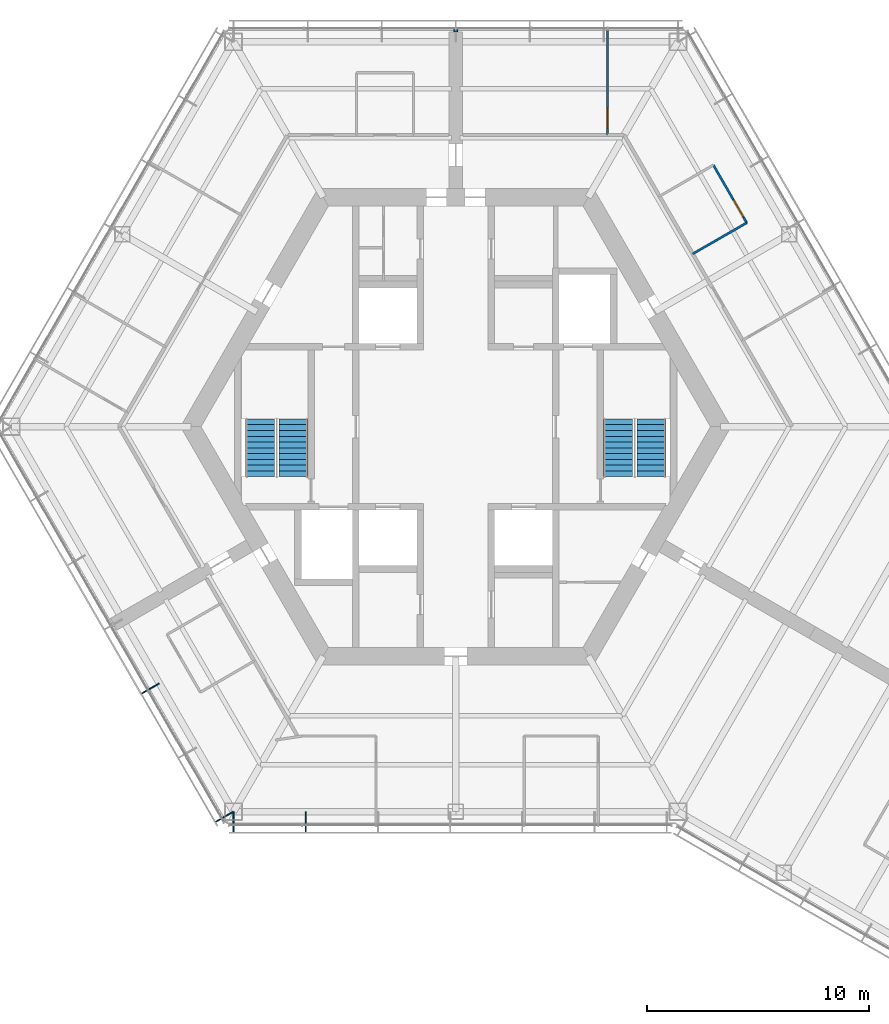
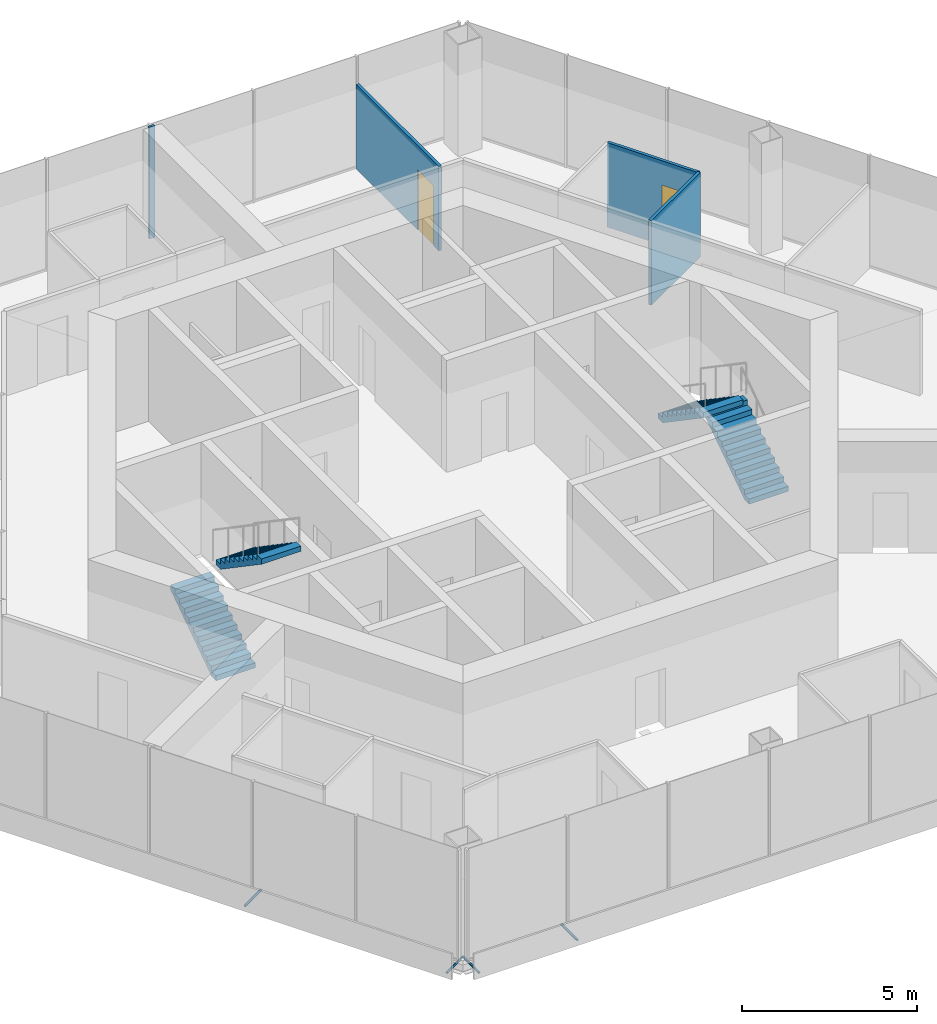
# One storey, part 13 of 16: 4 discrete accessories, 4 stair flights, 4 walls, 2 doors, 2 openings, 2 elements without a shape of their own.
"""IFC4 building model written with IfcOpenShell, lengths in metres."""

from ifc_helpers import new_model, si_unit, direction, frame, frame_2d, origin, origin_2d, place, context, subcontext, project, spatial, polyline, rectangle, hollow_circle, outline, extrude, material, layer, layer_set, material_profile, profile_set, type_object, element, fill, aggregate, save


model = new_model("IFC4")

# Units and contexts
model_context = context("Model", 3, precision=1e-05, world=origin(), true_north=direction((0.0, 1.0)))
body_context = subcontext(model_context, "Body", "Model", "MODEL_VIEW")
ifc_project = project(units=[si_unit("LENGTHUNIT", "METRE"), si_unit("AREAUNIT", "SQUARE_METRE"), si_unit("VOLUMEUNIT", "CUBIC_METRE"), si_unit("PLANEANGLEUNIT", "RADIAN"), si_unit("MASSUNIT", "GRAM", prefix="KILO")], contexts=[model_context])

# Site, building, storey
site_placement = place(None, origin())
site = spatial("IfcSite", under=ifc_project, at=site_placement, CompositionType="ELEMENT")
building_placement = place(site_placement, origin())
building = spatial("IfcBuilding", under=site, at=building_placement, Name="Kasaneha Research Tower", CompositionType="ELEMENT")
storey_placement = place(building_placement, frame((0.0, 0.0, 259.60009765625)))
storey = spatial("IfcBuildingStorey", under=building, at=storey_placement, Name="L65", CompositionType="ELEMENT", Elevation=259.60009765625)

# Wall, opening, door
ifc_material_1 = material(Name="Gypsum board on steel studs, one layer each side", Category="steel")
ifc_layer_1 = layer(ifc_material_1, 0.10009765625)
ifc_layer_set_1 = layer_set([ifc_layer_1], Name="Office partition 100")
wall_type_1 = type_object("IfcWallType", Name="Office partition 100", PredefinedType="PARTITIONING", material=ifc_layer_set_1)
wall_1_placement = place(storey_placement, frame((11.591552734375, 11.77294921875, 0.0), z_axis=(0.0, 0.0, 1.0), x_axis=(0.499990139034, -0.866031096941, 0.0)))
wall_1 = element("IfcWall", 1, at=wall_1_placement, inside=storey, type_object=wall_type_1, Name="Office partition FAE08 L65", PredefinedType="PARTITIONING", context=body_context, shape_type="SweptSolid", body=[
    extrude(rectangle(XDim=3.0, YDim=0.10009765625, at=frame_2d((1.5, 0.0))), origin(), (0.0, 0.0, 1.0), 2.949951171875),
])
opening_1_placement = place(wall_1_placement, frame((1.800048828125, 0.0, 0.0)))
opening_1 = element("IfcOpeningElement", 2, at=opening_1_placement, cuts=wall_1, Name="Opening L65-D25", PredefinedType="OPENING", context=body_context, shape_type="SweptSolid", body=[
    extrude(rectangle(XDim=0.89990234375, YDim=2.10009765625, at=frame_2d((0.449951171875, 1.050048828125))), frame((0.0, 0.06005859375, 0.0), z_axis=(0.0, -1.0, 0.0), x_axis=(1.0, 0.0, 0.0)), (0.0, 0.0, 1.0), 0.1201171875),
])
ifc_material_2 = material(Name="Timber veneer", Category="wood")
door_type = type_object("IfcDoorType", Name="Office door 900x2100", OperationType="SINGLE_SWING_LEFT", PredefinedType="DOOR", material=ifc_material_2)
door_1_placement = place(opening_1_placement, origin())
door_1 = element("IfcDoor", 3, at=door_1_placement, inside=storey, type_object=door_type, Name="Pantry door L65-D25", OperationType="SINGLE_SWING_RIGHT", OverallHeight=2.10009765625, OverallWidth=0.89990234375, PredefinedType="DOOR", context=body_context, shape_type="SweptSolid", body=[
    extrude(rectangle(XDim=0.89990234375, YDim=2.10009765625, at=frame_2d((0.449951171875, 1.050048828125))), frame((0.0, 0.02490234375, 0.0), z_axis=(0.0, -1.0, 0.0), x_axis=(1.0, 0.0, 0.0)), (0.0, 0.0, 1.0), 0.050048828125),
])
fill(opening_1, door_1)

# Wall
wall_2_placement = place(storey_placement, frame((13.091552734375, 9.1748046875, 0.0), z_axis=(0.0, 0.0, 1.0), x_axis=(-0.866855433567, -0.498559582492, 0.0)))
element("IfcWall", 4, at=wall_2_placement, inside=storey, type_object=wall_type_1, Name="Office partition FAE09 L65", PredefinedType="PARTITIONING", context=body_context, shape_type="SweptSolid", body=[
    extrude(rectangle(XDim=2.800048828125, YDim=0.10009765625, at=frame_2d((1.39990234375, 0.0))), origin(), (0.0, 0.0, 1.0), 2.949951171875),
])

# Wall, opening, door
wall_3_placement = place(storey_placement, frame((6.8310546875, 17.85546875, 0.0), z_axis=(0.0, 0.0, 1.0), x_axis=(-0.000980594079, -0.999999519218, 0.0)))
wall_3 = element("IfcWall", 5, at=wall_3_placement, inside=storey, type_object=wall_type_1, Name="Office partition FAE11 L65", PredefinedType="PARTITIONING", context=body_context, shape_type="SweptSolid", body=[
    extrude(rectangle(XDim=4.73046875, YDim=0.10009765625, at=frame_2d((2.365234375, 0.0))), origin(), (0.0, 0.0, 1.0), 2.949951171875),
])
opening_2_placement = place(wall_3_placement, frame((3.530517578125, 0.0, 0.0)))
opening_2 = element("IfcOpeningElement", 6, at=opening_2_placement, cuts=wall_3, Name="Opening L65-D27", PredefinedType="OPENING", context=body_context, shape_type="SweptSolid", body=[
    extrude(rectangle(XDim=0.89990234375, YDim=2.10009765625, at=frame_2d((0.449951171875, 1.050048828125))), frame((0.0, 0.06005859375, 0.0), z_axis=(0.0, -1.0, 0.0), x_axis=(1.0, 0.0, 0.0)), (0.0, 0.0, 1.0), 0.1201171875),
])
door_2_placement = place(opening_2_placement, origin())
door_2 = element("IfcDoor", 7, at=door_2_placement, inside=storey, type_object=door_type, Name="Reception room door L65-D27", OperationType="SINGLE_SWING_RIGHT", OverallHeight=2.10009765625, OverallWidth=0.89990234375, PredefinedType="DOOR", context=body_context, shape_type="SweptSolid", body=[
    extrude(rectangle(XDim=0.89990234375, YDim=2.10009765625, at=frame_2d((0.449951171875, 1.050048828125))), frame((0.0, 0.02490234375, 0.0), z_axis=(0.0, -1.0, 0.0), x_axis=(1.0, 0.0, 0.0)), (0.0, 0.0, 1.0), 0.050048828125),
])
fill(opening_2, door_2)

# Wall
ifc_material_3 = material(Name="Gypsum board on steel studs, two layers each side", Category="steel")
ifc_layer_2 = layer(ifc_material_3, 0.175048828125)
ifc_layer_set_2 = layer_set([ifc_layer_2], Name="Tenancy fire partition 175")
wall_type_2 = type_object("IfcWallType", Name="Tenancy fire partition 175", PredefinedType="PARTITIONING", material=ifc_layer_set_2)
wall_4_placement = place(storey_placement, frame((0.0, 17.7705078125, 0.0), z_axis=(0.0, 0.0, 1.0), x_axis=(0.0, 1.0, 0.0)))
element("IfcWall", 8, at=wall_4_placement, inside=storey, type_object=wall_type_2, Name="Spine wall closer SW4-600 L65", PredefinedType="PARTITIONING", context=body_context, shape_type="SweptSolid", body=[
    extrude(rectangle(XDim=0.0849609375, YDim=0.175048828125, at=frame_2d((0.04248046875, 0.0))), origin(), (0.0, 0.0, 1.0), 3.89990234375),
])

# Stair, stair flights
ifc_material_4 = material(Name="Concrete Fc24", Category="concrete")
stair_type = type_object("IfcStairType", Name="Half-turn stair 22 risers", PredefinedType="HALF_TURN_STAIR", material=ifc_material_4)
stair_1_placement = place(storey_placement, origin())
stair_1 = element("IfcStair", 9, at=stair_1_placement, inside=storey, type_object=stair_type, Name="Stair 1 L65", PredefinedType="HALF_TURN_STAIR")
ifc_material_5 = material(Name="Concrete Fc24", Category="concrete")
stair_flight_type = type_object("IfcStairFlightType", Name="Stair flight 11 risers 177.3", PredefinedType="STRAIGHT", material=ifc_material_5)
stair_flight_1_placement = place(storey_placement, frame((8.800048828125, -2.25, 0.0), z_axis=(0.0, 0.0, 1.0), x_axis=(0.0, 1.0, 0.0)))
stair_flight_1 = element("IfcStairFlight", 10, at=stair_flight_1_placement, type_object=stair_flight_type, Name="ST1-22R flight 1", NumberOfRisers=11, NumberOfTreads=10, PredefinedType="STRAIGHT", RiserHeight=0.177272727, TreadLength=0.26, context=body_context, shape_type="SweptSolid", body=[
    extrude(outline(polyline([(0.0, 0.0), (0.0, 0.17724609375), (0.260009765625, 0.17724609375), (0.260009765625, 0.3544921875), (0.52001953125, 0.3544921875), (0.52001953125, 0.53173828125), (0.780029296875, 0.53173828125), (0.780029296875, 0.708984375), (1.0400390625, 0.708984375), (1.0400390625, 0.886474609375), (1.300048828125, 0.886474609375), (1.300048828125, 1.063720703125), (1.56005859375, 1.063720703125), (1.56005859375, 1.240966796875), (1.820068359375, 1.240966796875), (1.820068359375, 1.418212890625), (2.080078125, 1.418212890625), (2.080078125, 1.595458984375), (2.340087890625, 1.595458984375), (2.340087890625, 1.772705078125), (2.60009765625, 1.772705078125), (2.60009765625, 1.949951171875), (2.60009765625, 1.59130859375), (0.26611328125, 0.0), (0.0, 0.0)])), frame((0.0, 0.64990234375, 0.0), z_axis=(0.0, -1.0, 0.0), x_axis=(1.0, 0.0, 0.0)), (0.0, 0.0, 1.0), 1.300048828125),
])
stair_flight_2_placement = place(storey_placement, frame((7.300048828125, 0.35009765625, 1.949951171875), z_axis=(0.0, 0.0, 1.0), x_axis=(0.0, -1.0, 0.0)))
stair_flight_2 = element("IfcStairFlight", 11, at=stair_flight_2_placement, type_object=stair_flight_type, Name="ST1-22R flight 2", NumberOfRisers=11, NumberOfTreads=10, PredefinedType="STRAIGHT", RiserHeight=0.177272727, TreadLength=0.26, context=body_context, shape_type="SweptSolid", body=[
    extrude(outline(polyline([(0.0, 0.0), (0.0, 0.17724609375), (0.260009765625, 0.17724609375), (0.260009765625, 0.3544921875), (0.52001953125, 0.3544921875), (0.52001953125, 0.53173828125), (0.780029296875, 0.53173828125), (0.780029296875, 0.708984375), (1.0400390625, 0.708984375), (1.0400390625, 0.886474609375), (1.300048828125, 0.886474609375), (1.300048828125, 1.063720703125), (1.56005859375, 1.063720703125), (1.56005859375, 1.240966796875), (1.820068359375, 1.240966796875), (1.820068359375, 1.418212890625), (2.080078125, 1.418212890625), (2.080078125, 1.595458984375), (2.340087890625, 1.595458984375), (2.340087890625, 1.772705078125), (2.60009765625, 1.772705078125), (2.60009765625, 1.949951171875), (2.60009765625, 1.59130859375), (0.26611328125, 0.0), (0.0, 0.0)])), frame((0.0, 0.64990234375, 0.0), z_axis=(0.0, -1.0, 0.0), x_axis=(1.0, 0.0, 0.0)), (0.0, 0.0, 1.0), 1.300048828125),
])
aggregate(stair_1, [stair_flight_1, stair_flight_2])

stair_2_placement = place(storey_placement, origin())
stair_2 = element("IfcStair", 12, at=stair_2_placement, inside=storey, type_object=stair_type, Name="Stair 2 L65", PredefinedType="HALF_TURN_STAIR")
stair_flight_3_placement = place(storey_placement, frame((-8.800048828125, -2.25, 0.0), z_axis=(0.0, 0.0, 1.0), x_axis=(0.0, 1.0, 0.0)))
stair_flight_3 = element("IfcStairFlight", 13, at=stair_flight_3_placement, type_object=stair_flight_type, Name="ST2-22R flight 1", NumberOfRisers=11, NumberOfTreads=10, PredefinedType="STRAIGHT", RiserHeight=0.177272727, TreadLength=0.26, context=body_context, shape_type="SweptSolid", body=[
    extrude(outline(polyline([(0.0, 0.0), (0.0, 0.17724609375), (0.260009765625, 0.17724609375), (0.260009765625, 0.3544921875), (0.52001953125, 0.3544921875), (0.52001953125, 0.53173828125), (0.780029296875, 0.53173828125), (0.780029296875, 0.708984375), (1.0400390625, 0.708984375), (1.0400390625, 0.886474609375), (1.300048828125, 0.886474609375), (1.300048828125, 1.063720703125), (1.56005859375, 1.063720703125), (1.56005859375, 1.240966796875), (1.820068359375, 1.240966796875), (1.820068359375, 1.418212890625), (2.080078125, 1.418212890625), (2.080078125, 1.595458984375), (2.340087890625, 1.595458984375), (2.340087890625, 1.772705078125), (2.60009765625, 1.772705078125), (2.60009765625, 1.949951171875), (2.60009765625, 1.59130859375), (0.26611328125, 0.0), (0.0, 0.0)])), frame((0.0, 0.64990234375, 0.0), z_axis=(0.0, -1.0, 0.0), x_axis=(1.0, 0.0, 0.0)), (0.0, 0.0, 1.0), 1.300048828125),
])
stair_flight_4_placement = place(storey_placement, frame((-7.300048828125, 0.35009765625, 1.949951171875), z_axis=(0.0, 0.0, 1.0), x_axis=(0.0, -1.0, 0.0)))
stair_flight_4 = element("IfcStairFlight", 14, at=stair_flight_4_placement, type_object=stair_flight_type, Name="ST2-22R flight 2", NumberOfRisers=11, NumberOfTreads=10, PredefinedType="STRAIGHT", RiserHeight=0.177272727, TreadLength=0.26, context=body_context, shape_type="SweptSolid", body=[
    extrude(outline(polyline([(0.0, 0.0), (0.0, 0.17724609375), (0.260009765625, 0.17724609375), (0.260009765625, 0.3544921875), (0.52001953125, 0.3544921875), (0.52001953125, 0.53173828125), (0.780029296875, 0.53173828125), (0.780029296875, 0.708984375), (1.0400390625, 0.708984375), (1.0400390625, 0.886474609375), (1.300048828125, 0.886474609375), (1.300048828125, 1.063720703125), (1.56005859375, 1.063720703125), (1.56005859375, 1.240966796875), (1.820068359375, 1.240966796875), (1.820068359375, 1.418212890625), (2.080078125, 1.418212890625), (2.080078125, 1.595458984375), (2.340087890625, 1.595458984375), (2.340087890625, 1.772705078125), (2.60009765625, 1.772705078125), (2.60009765625, 1.949951171875), (2.60009765625, 1.59130859375), (0.26611328125, 0.0), (0.0, 0.0)])), frame((0.0, 0.64990234375, 0.0), z_axis=(0.0, -1.0, 0.0), x_axis=(1.0, 0.0, 0.0)), (0.0, 0.0, 1.0), 1.300048828125),
])
aggregate(stair_2, [stair_flight_3, stair_flight_4])

# Discrete accessories
ifc_material_6 = material(Name="Steel STK400", Category="steel")
ifc_material_profile = material_profile(ifc_material_6, hollow_circle(Radius=0.0380859375, WallThickness=0.00390625, at=origin_2d()), Name="CHS-76.3x4.0")
ifc_profile_set = profile_set([ifc_material_profile], Name="Steel STK400")
discrete_accessory_type = type_object("IfcDiscreteAccessoryType", Name="Screen bracket CHS-76.3x4.0", PredefinedType="BRACKET", material=ifc_profile_set)
discrete_accessory_1_placement = place(storey_placement, frame((-13.333984375, -11.5458984375, -0.300048828125), z_axis=(-0.866013213425, -0.500021113727, 0.0), x_axis=(0.500021113727, -0.866013213425, 0.0)))
element("IfcDiscreteAccessory", 15, at=discrete_accessory_1_placement, inside=storey, type_object=discrete_accessory_type, Name="Screen bracket 5", PredefinedType="BRACKET", context=body_context, shape_type="SweptSolid", body=[
    extrude(hollow_circle(Radius=0.0380859375, WallThickness=0.00390625, at=origin_2d()), origin(), (0.0, 0.0, 1.0), 0.919921875),
])
discrete_accessory_2_placement = place(storey_placement, frame((-10.001708984375, -17.3173828125, -0.300048828125), z_axis=(-0.866079547155, -0.499906209203, 0.0), x_axis=(0.499906209203, -0.866079547155, 0.0)))
element("IfcDiscreteAccessory", 16, at=discrete_accessory_2_placement, inside=storey, type_object=discrete_accessory_type, Name="Screen bracket 7", PredefinedType="BRACKET", context=body_context, shape_type="SweptSolid", body=[
    extrude(hollow_circle(Radius=0.0380859375, WallThickness=0.00390625, at=origin_2d()), origin(), (0.0, 0.0, 1.0), 0.920166015625),
])
for number, where, z_axis, x_axis, name in (
    (17, (-9.996337890625, -17.320556640625, -0.300048828125), (0.0, -1.0, 0.0), (1.0, 0.0, 0.0), "Screen bracket 1"),
    (18, (-6.748779296875, -17.320556640625, -0.300048828125), (0.0, -1.0, 0.0), (1.0, 0.0, 0.0), "Screen bracket 2"),
):
    element("IfcDiscreteAccessory", number, at=place(storey_placement, frame(where, z_axis=z_axis, x_axis=x_axis)), inside=storey, type_object=discrete_accessory_type, Name=name, PredefinedType="BRACKET", context=body_context, shape_type="SweptSolid", body=[
        extrude(hollow_circle(Radius=0.0380859375, WallThickness=0.00390625, at=origin_2d()), origin(), (0.0, 0.0, 1.0), 0.919921875),
    ])

save(model, "model.ifc")
